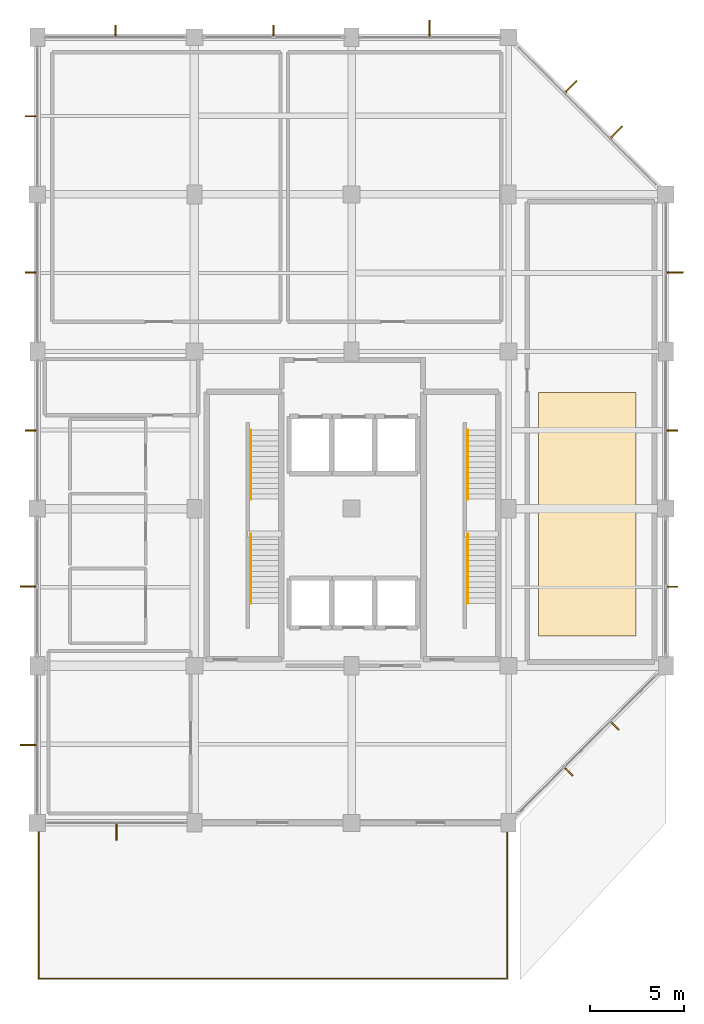
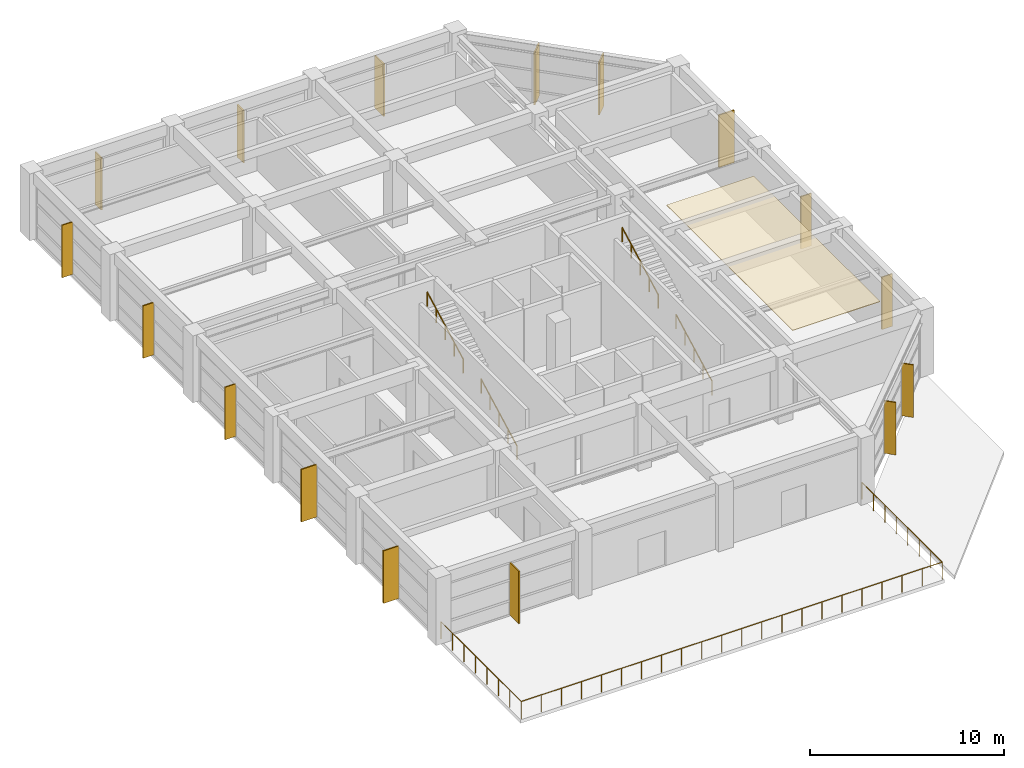
# One storey, part 11 of 11: 16 shading devices, 5 railings, 1 covering.
"""IFC4 building model written with IfcOpenShell, lengths in metres."""

from ifc_helpers import new_model, si_unit, direction, frame, origin, origin_2d, place, context, subcontext, project, spatial, polyline, rectangle, circle, outline, extrude, material, layer, layer_set, type_object, element, save


model = new_model("IFC4")

# Units and contexts
model_context = context("Model", 3, precision=1e-05, world=origin(), true_north=direction((0.0, 1.0)))
body_context = subcontext(model_context, "Body", "Model", "MODEL_VIEW")
ifc_project = project(units=[si_unit("LENGTHUNIT", "METRE"), si_unit("AREAUNIT", "SQUARE_METRE"), si_unit("VOLUMEUNIT", "CUBIC_METRE"), si_unit("PLANEANGLEUNIT", "RADIAN"), si_unit("MASSUNIT", "GRAM", prefix="KILO")], contexts=[model_context])

# Site, building, storey
site_placement = place(None, origin())
site = spatial("IfcSite", under=ifc_project, at=site_placement, CompositionType="ELEMENT")
building_placement = place(site_placement, origin())
building = spatial("IfcBuilding", under=site, at=building_placement, Name="Xuanlan Plaza Opera House", CompositionType="ELEMENT")
storey_placement = place(building_placement, frame((0.0, 0.0, 57.300048828125)))
storey = spatial("IfcBuildingStorey", under=building, at=storey_placement, Name="L13", CompositionType="ELEMENT", Elevation=57.300048828125)

# Railing
ifc_material_1 = material(Name="Stainless Steel S30408 and Laminated Glass", Category="steel")
railing_type_1 = type_object("IfcRailingType", Name="ENV-RL-GR01", PredefinedType="GUARDRAIL", material=ifc_material_1)
railing_placement = place(storey_placement, frame((126.080078125, 41.949951171875, 0.0)))
element("IfcRailing", 1, at=railing_placement, inside=storey, type_object=railing_type_1, Name="Terrace Perimeter Guardrail TERR-L13", PredefinedType="GUARDRAIL", context=body_context, shape_type="SweptSolid", body=[
    extrude(circle(Radius=0.02392578125, at=origin_2d()), frame((0.0, 0.0, 1.076171875), z_axis=(0.0, -1.0, 0.0), x_axis=(1.0, 0.0, 0.0)), (0.0, 0.0, 1.0), 8.27001953125),
    extrude(circle(Radius=0.02392578125, at=origin_2d()), frame((0.0, -8.27001953125, 1.076171875), z_axis=(1.0, 0.0, 0.0), x_axis=(0.0, 1.0, 0.0)), (0.0, 0.0, 1.0), 25.0400390625),
    extrude(circle(Radius=0.02392578125, at=origin_2d()), frame((25.0400390625, -8.27001953125, 1.076171875), z_axis=(0.0, 1.0, 0.0), x_axis=(-1.0, 0.0, 0.0)), (0.0, 0.0, 1.0), 8.27001953125),
    extrude(circle(Radius=0.02099609375, at=origin_2d()), origin(), (0.0, 0.0, 1.0), 1.052001953125),
    extrude(circle(Radius=0.02099609375, at=origin_2d()), frame((0.0, -1.181396484375, 0.0)), (0.0, 0.0, 1.0), 1.052001953125),
    extrude(circle(Radius=0.02099609375, at=origin_2d()), frame((0.0, -2.36279296875, 0.0)), (0.0, 0.0, 1.0), 1.052001953125),
    extrude(circle(Radius=0.02099609375, at=origin_2d()), frame((0.0, -3.544189453125, 0.0)), (0.0, 0.0, 1.0), 1.052001953125),
    extrude(circle(Radius=0.02099609375, at=origin_2d()), frame((0.0, -4.725830078125, 0.0)), (0.0, 0.0, 1.0), 1.052001953125),
    extrude(circle(Radius=0.02099609375, at=origin_2d()), frame((0.0, -5.9072265625, 0.0)), (0.0, 0.0, 1.0), 1.052001953125),
    extrude(circle(Radius=0.02099609375, at=origin_2d()), frame((0.0, -7.088623046875, 0.0)), (0.0, 0.0, 1.0), 1.052001953125),
    extrude(circle(Radius=0.02099609375, at=origin_2d()), frame((0.0, -8.27001953125, 0.0)), (0.0, 0.0, 1.0), 1.052001953125),
    extrude(circle(Radius=0.02099609375, at=origin_2d()), frame((1.1923828125, -8.27001953125, 0.0)), (0.0, 0.0, 1.0), 1.052001953125),
    extrude(circle(Radius=0.02099609375, at=origin_2d()), frame((2.384765625, -8.27001953125, 0.0)), (0.0, 0.0, 1.0), 1.052001953125),
    extrude(circle(Radius=0.02099609375, at=origin_2d()), frame((3.5771484375, -8.27001953125, 0.0)), (0.0, 0.0, 1.0), 1.052001953125),
    extrude(circle(Radius=0.02099609375, at=origin_2d()), frame((4.76953125, -8.27001953125, 0.0)), (0.0, 0.0, 1.0), 1.052001953125),
    extrude(circle(Radius=0.02099609375, at=origin_2d()), frame((5.9619140625, -8.27001953125, 0.0)), (0.0, 0.0, 1.0), 1.052001953125),
    extrude(circle(Radius=0.02099609375, at=origin_2d()), frame((7.154296875, -8.27001953125, 0.0)), (0.0, 0.0, 1.0), 1.052001953125),
    extrude(circle(Radius=0.02099609375, at=origin_2d()), frame((8.3466796875, -8.27001953125, 0.0)), (0.0, 0.0, 1.0), 1.052001953125),
    extrude(circle(Radius=0.02099609375, at=origin_2d()), frame((9.5390625, -8.27001953125, 0.0)), (0.0, 0.0, 1.0), 1.052001953125),
    extrude(circle(Radius=0.02099609375, at=origin_2d()), frame((10.7314453125, -8.27001953125, 0.0)), (0.0, 0.0, 1.0), 1.052001953125),
    extrude(circle(Radius=0.02099609375, at=origin_2d()), frame((11.923828125, -8.27001953125, 0.0)), (0.0, 0.0, 1.0), 1.052001953125),
    extrude(circle(Radius=0.02099609375, at=origin_2d()), frame((13.1162109375, -8.27001953125, 0.0)), (0.0, 0.0, 1.0), 1.052001953125),
    extrude(circle(Radius=0.02099609375, at=origin_2d()), frame((14.30859375, -8.27001953125, 0.0)), (0.0, 0.0, 1.0), 1.052001953125),
    extrude(circle(Radius=0.02099609375, at=origin_2d()), frame((15.5009765625, -8.27001953125, 0.0)), (0.0, 0.0, 1.0), 1.052001953125),
    extrude(circle(Radius=0.02099609375, at=origin_2d()), frame((16.693359375, -8.27001953125, 0.0)), (0.0, 0.0, 1.0), 1.052001953125),
    extrude(circle(Radius=0.02099609375, at=origin_2d()), frame((17.8857421875, -8.27001953125, 0.0)), (0.0, 0.0, 1.0), 1.052001953125),
    extrude(circle(Radius=0.02099609375, at=origin_2d()), frame((19.078125, -8.27001953125, 0.0)), (0.0, 0.0, 1.0), 1.052001953125),
    extrude(circle(Radius=0.02099609375, at=origin_2d()), frame((20.2705078125, -8.27001953125, 0.0)), (0.0, 0.0, 1.0), 1.052001953125),
    extrude(circle(Radius=0.02099609375, at=origin_2d()), frame((21.462890625, -8.27001953125, 0.0)), (0.0, 0.0, 1.0), 1.052001953125),
    extrude(circle(Radius=0.02099609375, at=origin_2d()), frame((22.6552734375, -8.27001953125, 0.0)), (0.0, 0.0, 1.0), 1.052001953125),
    extrude(circle(Radius=0.02099609375, at=origin_2d()), frame((23.84765625, -8.27001953125, 0.0)), (0.0, 0.0, 1.0), 1.052001953125),
    extrude(circle(Radius=0.02099609375, at=origin_2d()), frame((25.0400390625, -8.27001953125, 0.0)), (0.0, 0.0, 1.0), 1.052001953125),
    extrude(circle(Radius=0.02099609375, at=origin_2d()), frame((25.0400390625, -7.088623046875, 0.0)), (0.0, 0.0, 1.0), 1.052001953125),
    extrude(circle(Radius=0.02099609375, at=origin_2d()), frame((25.0400390625, -5.9072265625, 0.0)), (0.0, 0.0, 1.0), 1.052001953125),
    extrude(circle(Radius=0.02099609375, at=origin_2d()), frame((25.0400390625, -4.725830078125, 0.0)), (0.0, 0.0, 1.0), 1.052001953125),
    extrude(circle(Radius=0.02099609375, at=origin_2d()), frame((25.0400390625, -3.544189453125, 0.0)), (0.0, 0.0, 1.0), 1.052001953125),
    extrude(circle(Radius=0.02099609375, at=origin_2d()), frame((25.0400390625, -2.36279296875, 0.0)), (0.0, 0.0, 1.0), 1.052001953125),
    extrude(circle(Radius=0.02099609375, at=origin_2d()), frame((25.0400390625, -1.181396484375, 0.0)), (0.0, 0.0, 1.0), 1.052001953125),
    extrude(circle(Radius=0.02099609375, at=origin_2d()), frame((25.0400390625, 0.0, 0.0)), (0.0, 0.0, 1.0), 1.052001953125),
])

# Shading devices
ifc_material_2 = material(Name="Anodised Aluminium 6063-T6", Category="aluminium")
shading_device_type_1 = type_object("IfcShadingDeviceType", Name="ENV-SHD-BRS01", PredefinedType="JALOUSIE", material=ifc_material_2)
for number, where, z_axis, x_axis, name in (
    (2, (154.39599609375, 44.736572265625, 0.0400390625), (0.0, 0.0, 1.0), (0.707106781187, -0.707106781187, 0.0), "Parametric Sunshade Fin L13-0424"),
    (3, (156.863525390625, 47.203857421875, 0.0400390625), (0.0, 0.0, 1.0), (0.707106781187, -0.707106781187, 0.0), "Parametric Sunshade Fin L13-0425"),
    (4, (159.925048828125, 54.625, 0.0400390625), (0.0, 0.0, 1.0), (1.0, 0.0, 0.0), "Parametric Sunshade Fin L13-0426"),
    (5, (159.925048828125, 62.97509765625, 0.0400390625), (0.0, 0.0, 1.0), (1.0, 0.0, 0.0), "Parametric Sunshade Fin L13-0427"),
    (6, (138.625, 84.324951171875, 0.0400390625), (0.0, 0.0, 1.0), (0.0, 1.0, 0.0), "Parametric Sunshade Fin L13-0432"),
    (7, (130.175048828125, 84.324951171875, 0.0400390625), (0.0, 0.0, 1.0), (0.0, 1.0, 0.0), "Parametric Sunshade Fin L13-0433"),
    (8, (125.675048828125, 79.77490234375, 0.0400390625), (0.0, 0.0, 1.0), (-1.0, 0.0, 0.0), "Parametric Sunshade Fin L13-0434"),
    (9, (125.675048828125, 71.425048828125, 0.0400390625), (0.0, 0.0, 1.0), (-1.0, 0.0, 0.0), "Parametric Sunshade Fin L13-0435"),
    (10, (125.675048828125, 62.97509765625, 0.0400390625), (0.0, 0.0, 1.0), (-1.0, 0.0, 0.0), "Parametric Sunshade Fin L13-0436"),
):
    element("IfcShadingDevice", number, at=place(storey_placement, frame(where, z_axis=z_axis, x_axis=x_axis)), inside=storey, type_object=shading_device_type_1, Name=name, PredefinedType="JALOUSIE", context=body_context, shape_type="SweptSolid", body=[
        extrude(rectangle(XDim=0.639892578125, YDim=0.070068359375, at=origin_2d()), origin(), (0.0, 0.0, 1.0), 3.300048828125),
    ])
shading_device_type_2 = type_object("IfcShadingDeviceType", Name="ENV-SHD-BRS02", PredefinedType="JALOUSIE", material=ifc_material_2)
for number, where, z_axis, x_axis, name in (
    (11, (130.22509765625, 41.534912109375, 0.0400390625), (0.0, 0.0, 1.0), (0.0, -1.0, 0.0), "Parametric Sunshade Fin L13-0423"),
    (12, (160.06494140625, 71.425048828125, 0.0400390625), (0.0, 0.0, 1.0), (1.0, 0.0, 0.0), "Parametric Sunshade Fin L13-0428"),
    (13, (156.94580078125, 78.911865234375, 0.0400390625), (0.0, 0.0, 1.0), (0.707106781187, 0.707106781187, 0.0), "Parametric Sunshade Fin L13-0429"),
    (14, (154.51171875, 81.345703125, 0.0400390625), (0.0, 0.0, 1.0), (0.707106781187, 0.707106781187, 0.0), "Parametric Sunshade Fin L13-0430"),
    (15, (146.97509765625, 84.465087890625, 0.0400390625), (0.0, 0.0, 1.0), (0.0, 1.0, 0.0), "Parametric Sunshade Fin L13-0431"),
    (16, (125.534912109375, 54.625, 0.0400390625), (0.0, 0.0, 1.0), (-1.0, 0.0, 0.0), "Parametric Sunshade Fin L13-0437"),
    (17, (125.534912109375, 46.175048828125, 0.0400390625), (0.0, 0.0, 1.0), (-1.0, 0.0, 0.0), "Parametric Sunshade Fin L13-0438"),
):
    element("IfcShadingDevice", number, at=place(storey_placement, frame(where, z_axis=z_axis, x_axis=x_axis)), inside=storey, type_object=shading_device_type_2, Name=name, PredefinedType="JALOUSIE", context=body_context, shape_type="SweptSolid", body=[
        extrude(rectangle(XDim=0.919921875, YDim=0.080078125, at=origin_2d()), origin(), (0.0, 0.0, 1.0), 3.300048828125),
    ])

# Covering
ifc_layer = layer(ifc_material_2, 0.034912109375)
ifc_layer_set = layer_set([ifc_layer], Name="Anodised Aluminium 6063-T6")
covering_type = type_object("IfcCoveringType", Name="INT-COV-CLG-02", PredefinedType="CEILING", material=ifc_layer_set)
covering_placement = place(storey_placement, frame((0.0, 0.0, 3.925048828125)))
element("IfcCovering", 18, at=covering_placement, inside=storey, type_object=covering_type, Name="Acoustic Baffle Ceiling L13", PredefinedType="CEILING", context=body_context, shape_type="SweptSolid", body=[
    extrude(outline(polyline([(152.800048828125, 52.0), (158.0, 52.0), (158.0, 65.0), (152.800048828125, 65.0), (152.800048828125, 52.0)])), origin(), (0.0, 0.0, 1.0), 0.034912109375),
])

# Railings
ifc_material_3 = material(Name="Stainless Steel S30408", Category="steel")
railing_type_2 = type_object("IfcRailingType", Name="INT-RL-HR01", PredefinedType="HANDRAIL", material=ifc_material_3)
for number, where, name in (
    (19, (137.409912109375, 53.739990234375, 0.14990234375), "Stair Handrail ST-T1 L13 Flight 1"),
    (20, (137.409912109375, 59.294921875, 2.25), "Stair Handrail ST-T1 L13 Flight 2"),
    (21, (149.010009765625, 53.739990234375, 0.14990234375), "Stair Handrail ST-T2 L13 Flight 1"),
    (22, (149.010009765625, 59.294921875, 2.25), "Stair Handrail ST-T2 L13 Flight 2"),
):
    element("IfcRailing", number, at=place(storey_placement, frame(where)), inside=storey, type_object=railing_type_2, Name=name, PredefinedType="HANDRAIL", context=body_context, shape_type="SweptSolid", body=[
        extrude(circle(Radius=0.02392578125, at=origin_2d()), frame((0.0, 0.0, 0.8759765625), z_axis=(0.0, 0.88492707638, 0.465729609848), x_axis=(-1.0, 0.0, 0.0)), (0.0, 0.0, 1.0), 4.186767578125),
        extrude(circle(Radius=0.02099609375, at=origin_2d()), origin(), (0.0, 0.0, 1.0), 0.851806640625),
        extrude(circle(Radius=0.02099609375, at=origin_2d()), frame((0.0, 0.92626953125, 0.487548828125)), (0.0, 0.0, 1.0), 0.851806640625),
        extrude(circle(Radius=0.02099609375, at=origin_2d()), frame((0.0, 1.8525390625, 0.97509765625)), (0.0, 0.0, 1.0), 0.851806640625),
        extrude(circle(Radius=0.02099609375, at=origin_2d()), frame((0.0, 2.77880859375, 1.46240234375)), (0.0, 0.0, 1.0), 0.851806640625),
        extrude(circle(Radius=0.02099609375, at=origin_2d()), frame((0.0, 3.705078125, 1.949951171875)), (0.0, 0.0, 1.0), 0.851806640625),
    ])

save(model, "model.ifc")
